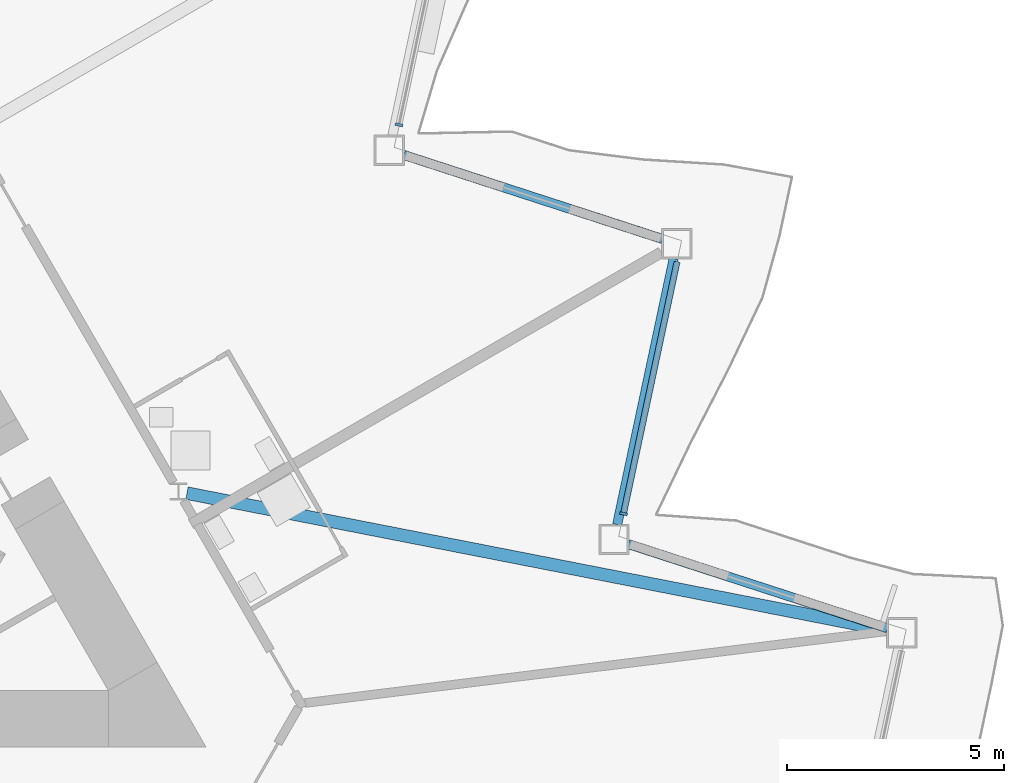
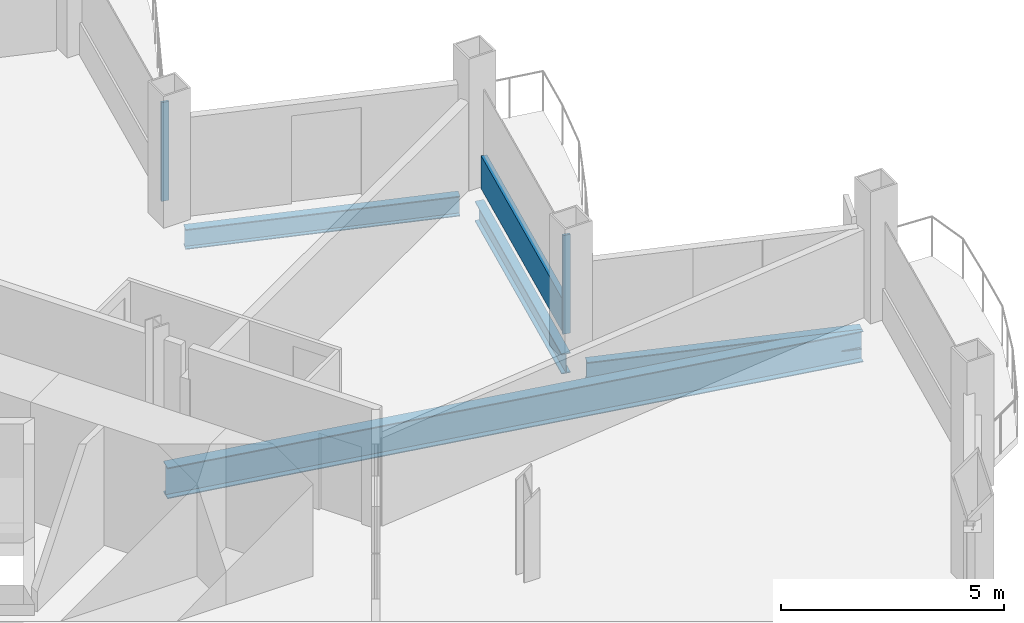
# One storey, part 7 of 24: 4 beams, 3 members, 2 elements without a shape of their own.
"""IFC4 building model written with IfcOpenShell, lengths in metres."""

import ifcopenshell
import ifcopenshell.guid

model = None  # the IFC model being written
_history = None  # IfcOwnerHistory: only IFC2X3 demands one
_inside = {}  # id of a spatial element -> (the spatial element, [elements in it])
_under = {}  # id of a project, library or spatial element -> (it, [spatial elements below it])
_declared = {}  # id of a project -> (the project, [libraries it declares])
_typed = {}  # id of a type object -> (the type object, [elements of that type])
_made_of = {}  # id of a material, layer set ... -> (it, [elements and type objects made of it])


def new_model(schema):
    """Start an empty IFC model of exactly this schema.

    Asked for "IFC4X3", IfcOpenShell would pick the latest addendum, in which some entities
    have other attributes; the version numbers below select the first issue.
    IFC2X3 requires an IfcOwnerHistory on every rooted entity: one is made here for all.
    """
    global model, _history
    if schema == "IFC4X3":
        model = ifcopenshell.file(schema_version=(4, 3, 0, 0))
    else:
        model = ifcopenshell.file(schema=schema)
    _inside.clear()
    _under.clear()
    _declared.clear()
    _typed.clear()
    _made_of.clear()
    _history = None
    if model.schema == "IFC2X3":
        org = make("IfcOrganization", Name="unknown")
        user = make(
            "IfcPersonAndOrganization",
            ThePerson=make("IfcPerson", FamilyName="unknown"),
            TheOrganization=org,
        )
        app = make(
            "IfcApplication",
            ApplicationDeveloper=org,
            Version="unknown",
            ApplicationFullName="unknown",
            ApplicationIdentifier="unknown",
        )
        _history = make(
            "IfcOwnerHistory",
            OwningUser=user,
            OwningApplication=app,
            ChangeAction="ADDED",
            CreationDate=0,
        )
    return model


def make(cls, **values):
    """One entity of the class cls with the attributes given. An attribute that is None is left unset."""
    return model.create_entity(
        cls, **{name: value for name, value in values.items() if value is not None}
    )


def rooted(cls, **values):
    """An entity with a GlobalId (a new one), such as an element, a storey or a relation."""
    return make(cls, GlobalId=ifcopenshell.guid.new(), OwnerHistory=_history, **values)


def si_unit(unit_type, name, prefix=None):
    """IfcSIUnit, for example si_unit("LENGTHUNIT", "METRE", prefix="MILLI")."""
    return make("IfcSIUnit", UnitType=unit_type, Prefix=prefix, Name=name)


def assignment(units):
    """IfcUnitAssignment: the units of a project."""
    return None if units is None else make("IfcUnitAssignment", Units=units)


def point(xyz):
    """IfcCartesianPoint."""
    return None if xyz is None else make("IfcCartesianPoint", Coordinates=xyz)


def direction(xyz):
    """IfcDirection."""
    return None if xyz is None else make("IfcDirection", DirectionRatios=xyz)


def frame(location, z_axis=None, x_axis=None):
    """IfcAxis2Placement3D, a coordinate frame: its origin and axes. An axis left out is left unset."""
    return make(
        "IfcAxis2Placement3D",
        Location=point(location),
        Axis=direction(z_axis),
        RefDirection=direction(x_axis),
    )


def frame_2d(location, x_axis=None):
    """IfcAxis2Placement2D, a coordinate frame in the plane: its origin and x axis."""
    return make(
        "IfcAxis2Placement2D", Location=point(location), RefDirection=direction(x_axis)
    )


def origin():
    """The frame at (0, 0, 0) with its axes left unset."""
    return frame((0.0, 0.0, 0.0))


def origin_2d():
    """The frame at (0, 0) in the plane with its x axis left unset."""
    return frame_2d((0.0, 0.0))


def place(relative_to, where):
    """IfcLocalPlacement: puts the frame where relative to a parent placement (None: the world)."""
    return make(
        "IfcLocalPlacement", PlacementRelTo=relative_to, RelativePlacement=where
    )


def context(
    kind, dimensions, precision=None, world=None, true_north=None, identifier=None
):
    """IfcGeometricRepresentationContext, for example the 3D "Model" context."""
    return make(
        "IfcGeometricRepresentationContext",
        ContextIdentifier=identifier,
        ContextType=kind,
        CoordinateSpaceDimension=dimensions,
        Precision=precision,
        WorldCoordinateSystem=world,
        TrueNorth=true_north,
    )


def subcontext(parent, identifier, kind, view, scale=None):
    """IfcGeometricRepresentationSubContext, for example "Body" below "Model"."""
    return make(
        "IfcGeometricRepresentationSubContext",
        ContextIdentifier=identifier,
        ContextType=kind,
        ParentContext=parent,
        TargetScale=scale,
        TargetView=view,
    )


def project(units=None, contexts=None):
    """IfcProject with its units and contexts."""
    return rooted(
        "IfcProject",
        Name="project",
        RepresentationContexts=contexts,
        UnitsInContext=assignment(units),
    )


def spatial(cls, under=None, at=None, **own):
    """A site, building, storey or space (cls), placed at a placement, below another one or the project."""
    s = rooted(cls, ObjectPlacement=at, **own)
    if under is not None:
        _under.setdefault(under.id(), (under, []))[1].append(s)
    return s


def profile(cls, at=None, kind="AREA", **sizes):
    """A parametric profile (cls). Its sizes go by their IFC names, for example OverallWidth=200.0."""
    return make(cls, ProfileType=kind, Position=at, **sizes)


def rectangle(**sizes):
    """IfcRectangleProfileDef."""
    return profile("IfcRectangleProfileDef", **sizes)


def i_section(**sizes):
    """IfcIShapeProfileDef."""
    return profile("IfcIShapeProfileDef", **sizes)


def extrude(swept, where, along, depth):
    """IfcExtrudedAreaSolid: the profile swept, set in the frame where, extruded along a direction by depth."""
    return make(
        "IfcExtrudedAreaSolid",
        SweptArea=swept,
        Position=where,
        ExtrudedDirection=direction(along),
        Depth=depth,
    )


def shape(context_of_items, identifier, shape_type, items):
    """IfcShapeRepresentation: the items that make up one representation, for example the "Body"."""
    return make(
        "IfcShapeRepresentation",
        ContextOfItems=context_of_items,
        RepresentationIdentifier=identifier,
        RepresentationType=shape_type,
        Items=items,
    )


def material(Name=None, Category=None):
    """IfcMaterial."""
    return make("IfcMaterial", Name=Name, Category=Category)


def layer(
    of_material, thickness, ventilated=None, Name=None, Category=None, Priority=None
):
    """IfcMaterialLayer: one layer of a wall or slab, of a material (None: an air gap)."""
    return make(
        "IfcMaterialLayer",
        Material=of_material,
        LayerThickness=thickness,
        IsVentilated=ventilated,
        Name=Name,
        Category=Category,
        Priority=Priority,
    )


def layer_set(layers, Name=None):
    """IfcMaterialLayerSet."""
    return make("IfcMaterialLayerSet", MaterialLayers=layers, LayerSetName=Name)


def material_profile(
    of_material, cross_section, Name=None, Category=None, Priority=None
):
    """IfcMaterialProfile: a cross section and its material."""
    return make(
        "IfcMaterialProfile",
        Name=Name,
        Material=of_material,
        Profile=cross_section,
        Priority=Priority,
        Category=Category,
    )


def profile_set(profiles, Name=None, composite=None):
    """IfcMaterialProfileSet."""
    return make(
        "IfcMaterialProfileSet",
        Name=Name,
        MaterialProfiles=profiles,
        CompositeProfile=composite,
    )


def made_of(thing, what):
    """Note that an element or type object is made of a material, layer set ...; save() writes the relation."""
    if what is not None:
        _made_of.setdefault(what.id(), (what, []))[1].append(thing)
    return thing


def type_object(cls, material=None, **own):
    """A type object (cls), such as IfcWallType, which elements share."""
    return made_of(rooted(cls, **own), material)


def element(
    cls,
    number,
    at=None,
    inside=None,
    cuts=None,
    type_object=None,
    material=None,
    context=None,
    identifier="Body",
    shape_type=None,
    held_by="IfcProductDefinitionShape",
    body=None,
    shapes=None,
    **own,
):
    """One element of the class cls, such as IfcWall. Its Tag is "e" and its number.

    at: its placement. inside: the storey or other place that contains it. cuts: it is an
    opening in that element (IfcRelVoidsElement). A single representation is given by context,
    identifier, shape_type and body (its items); several are given by shapes. held_by: the class
    of the entity that holds the representations. save() writes the other relations.
    """
    e = rooted(cls, Tag="e%d" % number, ObjectPlacement=at, **own)
    if body is not None:
        shapes = [shape(context, identifier, shape_type, body)]
    if shapes is not None:
        e.Representation = make(held_by, Representations=shapes)
    if inside is not None:
        _inside.setdefault(inside.id(), (inside, []))[1].append(e)
    if cuts is not None:
        rooted(
            "IfcRelVoidsElement", RelatingBuildingElement=cuts, RelatedOpeningElement=e
        )
    if type_object is not None:
        _typed.setdefault(type_object.id(), (type_object, []))[1].append(e)
    return made_of(e, material)


def aggregate(whole, parts):
    """IfcRelAggregates: a whole, such as a stair, and the parts it consists of."""
    return rooted("IfcRelAggregates", RelatingObject=whole, RelatedObjects=parts)


def save(model, path):
    """Write the relations noted so far, then the file.

    IfcRelAggregates (storeys below a building ...), IfcRelContainedInSpatialStructure (elements
    in a storey), IfcRelDefinesByType, IfcRelAssociatesMaterial and IfcRelDeclares: one each for
    every whole, place, type object, material and project.
    """
    for whole, parts in _under.values():
        aggregate(whole, parts)
    for where, things in _inside.values():
        rooted(
            "IfcRelContainedInSpatialStructure",
            RelatedElements=things,
            RelatingStructure=where,
        )
    for kind, things in _typed.values():
        rooted("IfcRelDefinesByType", RelatedObjects=things, RelatingType=kind)
    for what, things in _made_of.values():
        rooted("IfcRelAssociatesMaterial", RelatedObjects=things, RelatingMaterial=what)
    for by, libraries in _declared.values():
        rooted("IfcRelDeclares", RelatingContext=by, RelatedDefinitions=libraries)
    model.write(path)


model = new_model("IFC4")

# Units and contexts
model_context = context("Model", 3, precision=1e-05, world=origin(), true_north=direction((0.0, 1.0)))
body_context = subcontext(model_context, "Body", "Model", "MODEL_VIEW")
ifc_project = project(units=[si_unit("LENGTHUNIT", "METRE"), si_unit("AREAUNIT", "SQUARE_METRE"), si_unit("VOLUMEUNIT", "CUBIC_METRE"), si_unit("PLANEANGLEUNIT", "RADIAN"), si_unit("MASSUNIT", "GRAM", prefix="KILO")], contexts=[model_context])

# Site, building, storey
site_placement = place(None, origin())
site = spatial("IfcSite", under=ifc_project, at=site_placement, CompositionType="ELEMENT")
building_placement = place(site_placement, origin())
building = spatial("IfcBuilding", under=site, at=building_placement, Name="Cormorant Prow Tower", CompositionType="ELEMENT")
storey_placement = place(building_placement, frame((0.0, 0.0, 274.199951171875)))
storey = spatial("IfcBuildingStorey", under=building, at=storey_placement, Name="L62", CompositionType="ELEMENT", Elevation=274.199951171875)

# Curtain wall, member
ifc_material_1 = material(Name="Aluminium 6063-T6", Category="aluminium")
ifc_layer = layer(ifc_material_1, 0.179931640625)
ifc_layer_set = layer_set([ifc_layer], Name="Aluminium 6063-T6")
curtain_wall_type = type_object("IfcCurtainWallType", Name="Hotel unitised curtain wall 180", PredefinedType="NOTDEFINED", material=ifc_layer_set)
curtain_wall_1_placement = place(storey_placement, origin())
curtain_wall_1 = element("IfcCurtainWall", 1, at=curtain_wall_1_placement, inside=storey, type_object=curtain_wall_type, Name="Hotel curtain wall ENE02", PredefinedType="NOTDEFINED")
ifc_material_2 = material(Name="Aluminium 6063-T6", Category="aluminium")
ifc_material_profile_1 = material_profile(ifc_material_2, rectangle(XDim=0.179931640625, YDim=0.06005859375, at=origin_2d()), Name="Hotel mullion 60x180")
ifc_profile_set_1 = profile_set([ifc_material_profile_1], Name="Aluminium 6063-T6")
member_type_1 = type_object("IfcMemberType", Name="Hotel mullion 60x180", PredefinedType="MULLION", material=ifc_profile_set_1)
member_1_placement = place(storey_placement, frame((24.642822265625, -3.27880859375, 0.0), z_axis=(0.0, 0.0, 1.0), x_axis=(-0.978147597562, 0.207911705739, 0.0)))
member_1 = element("IfcMember", 2, at=member_1_placement, type_object=member_type_1, Name="Hotel mullion ENE02", PredefinedType="MULLION", context=body_context, shape_type="SweptSolid", body=[
    extrude(rectangle(XDim=0.179931640625, YDim=0.06005859375, at=origin_2d()), origin(), (0.0, 0.0, 1.0), 2.700927734375),
])

curtain_wall_2_placement = place(storey_placement, origin())
curtain_wall_2 = element("IfcCurtainWall", 3, at=curtain_wall_2_placement, inside=storey, type_object=curtain_wall_type, Name="Hotel curtain wall ENE04", PredefinedType="NOTDEFINED")
member_2_placement = place(storey_placement, frame((19.45751953125, 5.7021484375, 0.0), z_axis=(0.0, 0.0, 1.0), x_axis=(-0.978147597562, 0.207911705739, 0.0)))
member_2 = element("IfcMember", 4, at=member_2_placement, type_object=member_type_1, Name="Hotel mullion ENE04", PredefinedType="MULLION", context=body_context, shape_type="SweptSolid", body=[
    extrude(rectangle(XDim=0.179931640625, YDim=0.06005859375, at=origin_2d()), origin(), (0.0, 0.0, 1.0), 2.700927734375),
])
aggregate(curtain_wall_2, [member_2])

# Member
ifc_material_3 = material(Name="Terracotta", Category="masonry")
ifc_material_profile_2 = material_profile(ifc_material_3, rectangle(XDim=0.139892578125, YDim=0.89990234375, at=origin_2d()), Name="Hotel terracotta spandrel rail 140x900")
ifc_profile_set_2 = profile_set([ifc_material_profile_2], Name="Terracotta")
member_type_2 = type_object("IfcMemberType", Name="Hotel terracotta spandrel rail 140x900", PredefinedType="USERDEFINED", material=ifc_profile_set_2)
member_3_placement = place(storey_placement, frame((24.64892578125, -3.24951171875, 0.449951171875), z_axis=(0.2079278606, 0.978144163601, 0.0), x_axis=(-0.978144163601, 0.2079278606, 0.0)))
member_3 = element("IfcMember", 5, at=member_3_placement, type_object=member_type_2, Name="Hotel spandrel rail ENE02", ObjectType="TRANSOM", PredefinedType="USERDEFINED", context=body_context, shape_type="SweptSolid", body=[
    extrude(rectangle(XDim=0.139892578125, YDim=0.89990234375, at=origin_2d()), origin(), (0.0, 0.0, 1.0), 5.91552734375),
])

aggregate(curtain_wall_1, [member_1, member_3])

# Beams
ifc_material_4 = material(Name="Structural steel ASTM A992 Gr 50", Category="steel")
ifc_material_profile_3 = material_profile(ifc_material_4, i_section(OverallWidth=0.29296875, OverallDepth=0.845703125, WebThickness=0.015380859375, FlangeThickness=0.0244140625, at=origin_2d()), Name="W33x141")
ifc_profile_set_3 = profile_set([ifc_material_profile_3], Name="Structural steel ASTM A992 Gr 50")
beam_type_1 = type_object("IfcBeamType", Name="Radial floor beam W33x141", PredefinedType="BEAM", material=ifc_profile_set_3)
beam_placement = place(storey_placement, frame((14.5634765625, -2.80322265625, -0.77294921875), z_axis=(0.981419133752, -0.191876220269, 0.0), x_axis=(0.191876220269, 0.981419133752, 0.0)))
element("IfcBeam", 6, at=beam_placement, inside=storey, type_object=beam_type_1, Name="Radial floor beam FB2 10 L62", PredefinedType="BEAM", context=body_context, shape_type="SweptSolid", body=[
    extrude(i_section(OverallWidth=0.29296875, OverallDepth=0.845703125, WebThickness=0.015380859375, FlangeThickness=0.0244140625, at=origin_2d()), origin(), (0.0, 0.0, 1.0), 16.462158203125),
])
ifc_material_5 = material(Name="Structural steel ASTM A992 Gr 50", Category="steel")
ifc_material_profile_4 = material_profile(ifc_material_5, i_section(OverallWidth=0.2138671875, OverallDepth=0.549072265625, WebThickness=0.0146484375, FlangeThickness=0.023681640625, at=origin_2d()), Name="W21x93")
ifc_profile_set_4 = profile_set([ifc_material_profile_4], Name="Structural steel ASTM A992 Gr 50")
beam_type_2 = type_object("IfcBeamType", Name="Spandrel beam W21x93", PredefinedType="SPANDREL", material=ifc_profile_set_4)
for number, where, z_axis, x_axis, name in (
    (7, (30.730224609375, -5.9208984375, -0.62451171875), (-0.951061771288, 0.309000820701, 0.0), (-0.309000820701, -0.951061771288, 0.0), "Spandrel beam SB2 ENE01-ENE02 L62"),
    (8, (24.49609375, -3.529296875, -0.62451171875), (0.207941499013, 0.978141264331, 0.0), (-0.978141264331, 0.207941499013, 0.0), "Spandrel beam SB2 ENE02-ENE03 L62"),
    (9, (25.5419921875, 3.0654296875, -0.62451171875), (-0.951061771288, 0.309000820701, 0.0), (-0.309000820701, -0.951061771288, 0.0), "Spandrel beam SB2 ENE03-ENE04 L62"),
):
    element("IfcBeam", number, at=place(storey_placement, frame(where, z_axis=z_axis, x_axis=x_axis)), inside=storey, type_object=beam_type_2, Name=name, PredefinedType="SPANDREL", context=body_context, shape_type="SweptSolid", body=[
        extrude(i_section(OverallWidth=0.2138671875, OverallDepth=0.549072265625, WebThickness=0.0146484375, FlangeThickness=0.023681640625, at=origin_2d()), origin(), (0.0, 0.0, 1.0), 6.28125),
    ])

save(model, "model.ifc")
